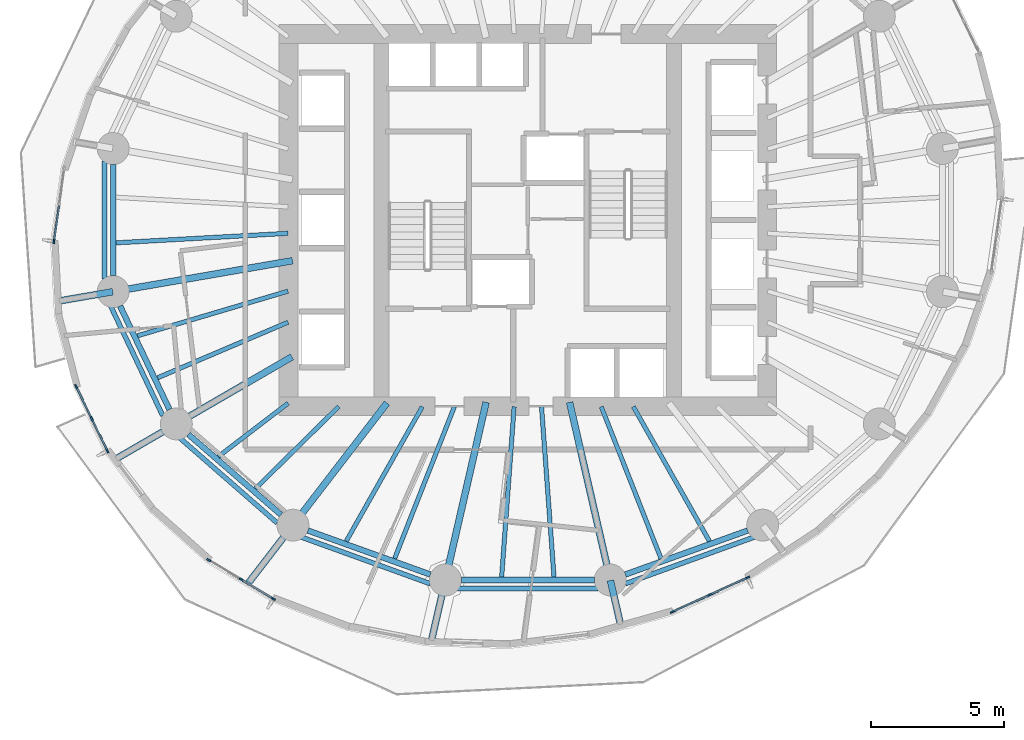
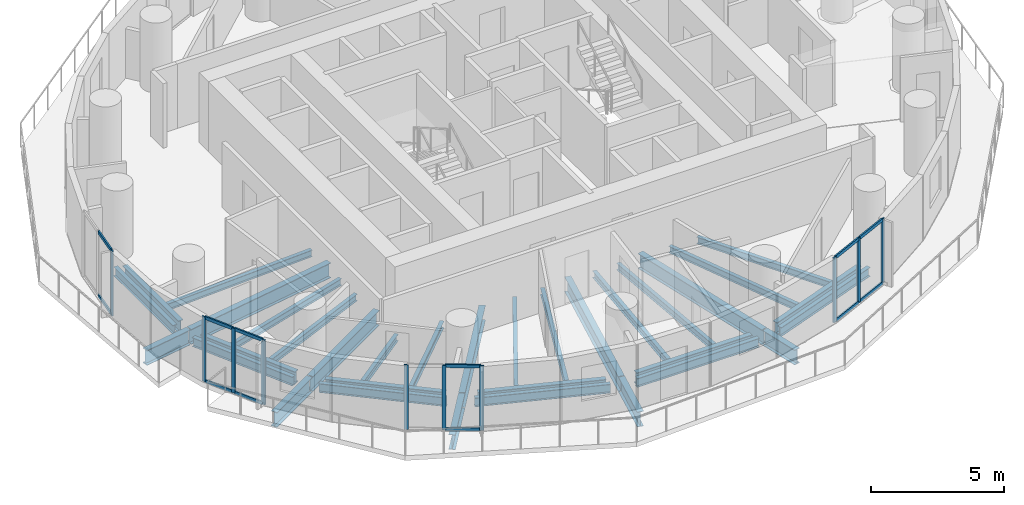
# One storey, part 2 of 14: 33 beams, 22 members, 4 elements without a shape of their own.
"""IFC4 building model written with IfcOpenShell, lengths in metres."""

from ifc_helpers import new_model, si_unit, direction, frame, origin, origin_2d, place, context, subcontext, project, spatial, rectangle, i_section, extrude, material, material_profile, profile_set, type_object, element, aggregate, save


model = new_model("IFC4")

# Units and contexts
model_context = context("Model", 3, precision=1e-05, world=origin(), true_north=direction((0.0, 1.0)))
body_context = subcontext(model_context, "Body", "Model", "MODEL_VIEW")
ifc_project = project(units=[si_unit("LENGTHUNIT", "METRE"), si_unit("AREAUNIT", "SQUARE_METRE"), si_unit("VOLUMEUNIT", "CUBIC_METRE"), si_unit("PLANEANGLEUNIT", "RADIAN"), si_unit("MASSUNIT", "GRAM", prefix="KILO")], contexts=[model_context])

# Site, building, storey
site_placement = place(None, origin())
site = spatial("IfcSite", under=ifc_project, at=site_placement, CompositionType="ELEMENT")
building_placement = place(site_placement, origin())
building = spatial("IfcBuilding", under=site, at=building_placement, Name="Veldorim Arch Residences", CompositionType="ELEMENT")
storey_placement = place(building_placement, frame((0.0, 0.0, 90.080078125)))
storey = spatial("IfcBuildingStorey", under=building, at=storey_placement, Name="L26", CompositionType="ELEMENT", Elevation=90.080078125)

# Beams
ifc_material_1 = material(Name="Steel S355", Category="steel")
ifc_material_profile_1 = material_profile(ifc_material_1, i_section(OverallWidth=0.2119140625, OverallDepth=0.54443359375, WebThickness=0.0126953125, FlangeThickness=0.021240234375, at=origin_2d()), Name="UB533x210x122")
ifc_profile_set_1 = profile_set([ifc_material_profile_1], Name="Steel S355")
beam_type_1 = type_object("IfcBeamType", Name="Structural Steel Beam UB533x210x122", PredefinedType="BEAM", material=ifc_profile_set_1)
beam_1_placement = place(storey_placement, frame((16.405517578125, 26.09228515625, -0.51220703125), z_axis=(0.0, -1.0, 0.0), x_axis=(1.0, 0.0, 0.0)))
element("IfcBeam", 1, at=beam_1_placement, inside=storey, type_object=beam_type_1, Name="L26 perimeter ring tie beam 08", PredefinedType="BEAM", context=body_context, shape_type="SweptSolid", body=[
    extrude(i_section(OverallWidth=0.2119140625, OverallDepth=0.54443359375, WebThickness=0.0126953125, FlangeThickness=0.021240234375, at=origin_2d()), origin(), (0.0, 0.0, 1.0), 4.1845703125),
])
beam_2_placement = place(storey_placement, frame((16.663818359375, 20.766357421875, -0.51220703125), z_axis=(0.430720154476, -0.902485539235, 0.0), x_axis=(0.902485539235, 0.430720154476, 0.0)))
element("IfcBeam", 2, at=beam_2_placement, inside=storey, type_object=beam_type_1, Name="L26 perimeter ring tie beam 09", PredefinedType="BEAM", context=body_context, shape_type="SweptSolid", body=[
    extrude(i_section(OverallWidth=0.2119140625, OverallDepth=0.54443359375, WebThickness=0.0126953125, FlangeThickness=0.021240234375, at=origin_2d()), origin(), (0.0, 0.0, 1.0), 4.312255859375),
])
beam_3_placement = place(storey_placement, frame((19.232666015625, 15.939697265625, -0.51220703125), z_axis=(0.755244952556, -0.655442645576, 0.0), x_axis=(0.655442645576, 0.755244952556, 0.0)))
element("IfcBeam", 3, at=beam_3_placement, inside=storey, type_object=beam_type_1, Name="L26 perimeter ring tie beam 10", PredefinedType="BEAM", context=body_context, shape_type="SweptSolid", body=[
    extrude(i_section(OverallWidth=0.2119140625, OverallDepth=0.54443359375, WebThickness=0.0126953125, FlangeThickness=0.021240234375, at=origin_2d()), origin(), (0.0, 0.0, 1.0), 4.608642578125),
])
beam_4_placement = place(storey_placement, frame((23.73095703125, 12.32275390625, -0.51220703125), z_axis=(0.941041944493, -0.338289903343, 0.0), x_axis=(0.338289903343, 0.941041944493, 0.0)))
element("IfcBeam", 4, at=beam_4_placement, inside=storey, type_object=beam_type_1, Name="L26 perimeter ring tie beam 11", PredefinedType="BEAM", context=body_context, shape_type="SweptSolid", body=[
    extrude(i_section(OverallWidth=0.2119140625, OverallDepth=0.54443359375, WebThickness=0.0126953125, FlangeThickness=0.021240234375, at=origin_2d()), origin(), (0.0, 0.0, 1.0), 4.890869140625),
])
beam_5_placement = place(storey_placement, frame((29.498046875, 10.465087890625, -0.51220703125), z_axis=(1.0, 0.0, 0.0), x_axis=(0.0, 1.0, 0.0)))
element("IfcBeam", 5, at=beam_5_placement, inside=storey, type_object=beam_type_1, Name="L26 perimeter ring tie beam 12", PredefinedType="BEAM", context=body_context, shape_type="SweptSolid", body=[
    extrude(i_section(OverallWidth=0.2119140625, OverallDepth=0.54443359375, WebThickness=0.0126953125, FlangeThickness=0.021240234375, at=origin_2d()), origin(), (0.0, 0.0, 1.0), 5.00390625),
])
beam_6_placement = place(storey_placement, frame((35.66650390625, 10.668212890625, -0.51220703125), z_axis=(0.941041944493, 0.338289903343, 0.0), x_axis=(-0.338289903343, 0.941041944493, 0.0)))
element("IfcBeam", 6, at=beam_6_placement, inside=storey, type_object=beam_type_1, Name="L26 perimeter ring tie beam 13", PredefinedType="BEAM", context=body_context, shape_type="SweptSolid", body=[
    extrude(i_section(OverallWidth=0.2119140625, OverallDepth=0.54443359375, WebThickness=0.0126953125, FlangeThickness=0.021240234375, at=origin_2d()), origin(), (0.0, 0.0, 1.0), 4.890869140625),
])
ifc_material_2 = material(Name="Steel S355", Category="steel")
ifc_material_profile_2 = material_profile(ifc_material_2, i_section(OverallWidth=0.25439453125, OverallDepth=0.6875, WebThickness=0.01318359375, FlangeThickness=0.02099609375, at=origin_2d()), Name="UB686x254x152")
ifc_profile_set_2 = profile_set([ifc_material_profile_2], Name="Steel S355")
beam_type_2 = type_object("IfcBeamType", Name="Structural Steel GIRDER UB686x254x152", PredefinedType="USERDEFINED", material=ifc_profile_set_2)
beam_7_placement = place(storey_placement, frame((23.147705078125, 22.4716796875, -0.583740234375), z_axis=(-0.985426622718, -0.17010106184, 0.0), x_axis=(0.17010106184, -0.985426622718, 0.0)))
element("IfcBeam", 7, at=beam_7_placement, inside=storey, type_object=beam_type_2, Name="L26 radial floor girder 09", ObjectType="GIRDER", PredefinedType="USERDEFINED", context=body_context, shape_type="SweptSolid", body=[
    extrude(i_section(OverallWidth=0.25439453125, OverallDepth=0.6875, WebThickness=0.01318359375, FlangeThickness=0.02099609375, at=origin_2d()), origin(), (0.0, 0.0, 1.0), 6.82177734375),
])
beam_8_placement = place(storey_placement, frame((16.3857421875, 21.304443359375, -0.583740234375), z_axis=(-0.985423467948, -0.170119336988, 0.0), x_axis=(0.170119336988, -0.985423467948, 0.0)))
element("IfcBeam", 8, at=beam_8_placement, inside=storey, type_object=beam_type_2, Name="L26 radial edge cantilever girder 09", ObjectType="GIRDER", PredefinedType="USERDEFINED", context=body_context, shape_type="SweptSolid", body=[
    extrude(i_section(OverallWidth=0.25439453125, OverallDepth=0.6875, WebThickness=0.01318359375, FlangeThickness=0.02099609375, at=origin_2d()), origin(), (0.0, 0.0, 1.0), 2.11669921875),
])
beam_9_placement = place(storey_placement, frame((23.1298828125, 18.85595703125, -0.583740234375), z_axis=(-0.865048957682, -0.501687453314, 0.0), x_axis=(0.501687453314, -0.865048957682, 0.0)))
element("IfcBeam", 9, at=beam_9_placement, inside=storey, type_object=beam_type_2, Name="L26 radial floor girder 10", ObjectType="GIRDER", PredefinedType="USERDEFINED", context=body_context, shape_type="SweptSolid", body=[
    extrude(i_section(OverallWidth=0.25439453125, OverallDepth=0.6875, WebThickness=0.01318359375, FlangeThickness=0.02099609375, at=origin_2d()), origin(), (0.0, 0.0, 1.0), 5.009033203125),
])
beam_10_placement = place(storey_placement, frame((18.76220703125, 16.322998046875, -0.583740234375), z_axis=(-0.865063665573, -0.501662091956, 0.0), x_axis=(0.501662091956, -0.865063665573, 0.0)))
element("IfcBeam", 10, at=beam_10_placement, inside=storey, type_object=beam_type_2, Name="L26 radial edge cantilever girder 10", ObjectType="GIRDER", PredefinedType="USERDEFINED", context=body_context, shape_type="SweptSolid", body=[
    extrude(i_section(OverallWidth=0.25439453125, OverallDepth=0.6875, WebThickness=0.01318359375, FlangeThickness=0.02099609375, at=origin_2d()), origin(), (0.0, 0.0, 1.0), 2.67529296875),
])
beam_11_placement = place(storey_placement, frame((26.702392578125, 17.118896484375, -0.583740234375), z_axis=(-0.609994628196, -0.792405548676, 0.0), x_axis=(0.792405548676, -0.609994628196, 0.0)))
element("IfcBeam", 11, at=beam_11_placement, inside=storey, type_object=beam_type_2, Name="L26 radial floor girder 11", ObjectType="GIRDER", PredefinedType="USERDEFINED", context=body_context, shape_type="SweptSolid", body=[
    extrude(i_section(OverallWidth=0.25439453125, OverallDepth=0.6875, WebThickness=0.01318359375, FlangeThickness=0.02099609375, at=origin_2d()), origin(), (0.0, 0.0, 1.0), 5.776611328125),
])
beam_12_placement = place(storey_placement, frame((23.154296875, 12.510009765625, -0.583740234375), z_axis=(-0.610003108496, -0.792399020459, 0.0), x_axis=(0.792399020459, -0.610003108496, 0.0)))
element("IfcBeam", 12, at=beam_12_placement, inside=storey, type_object=beam_type_2, Name="L26 radial edge cantilever girder 11", ObjectType="GIRDER", PredefinedType="USERDEFINED", context=body_context, shape_type="SweptSolid", body=[
    extrude(i_section(OverallWidth=0.25439453125, OverallDepth=0.6875, WebThickness=0.01318359375, FlangeThickness=0.02099609375, at=origin_2d()), origin(), (0.0, 0.0, 1.0), 2.743896484375),
])
beam_13_placement = place(storey_placement, frame((30.42919921875, 17.146240234375, -0.583740234375), z_axis=(-0.223374742148, -0.97473264261, 0.0), x_axis=(0.97473264261, -0.223374742148, 0.0)))
element("IfcBeam", 13, at=beam_13_placement, inside=storey, type_object=beam_type_2, Name="L26 radial floor girder 12", ObjectType="GIRDER", PredefinedType="USERDEFINED", context=body_context, shape_type="SweptSolid", body=[
    extrude(i_section(OverallWidth=0.25439453125, OverallDepth=0.6875, WebThickness=0.01318359375, FlangeThickness=0.02099609375, at=origin_2d()), origin(), (0.0, 0.0, 1.0), 6.834228515625),
])
beam_14_placement = place(storey_placement, frame((28.8935546875, 10.44580078125, -0.583740234375), z_axis=(-0.223325717101, -0.974743876145, 0.0), x_axis=(0.974743876145, -0.223325717101, 0.0)))
element("IfcBeam", 14, at=beam_14_placement, inside=storey, type_object=beam_type_2, Name="L26 radial edge cantilever girder 12", ObjectType="GIRDER", PredefinedType="USERDEFINED", context=body_context, shape_type="SweptSolid", body=[
    extrude(i_section(OverallWidth=0.25439453125, OverallDepth=0.6875, WebThickness=0.01318359375, FlangeThickness=0.02099609375, at=origin_2d()), origin(), (0.0, 0.0, 1.0), 2.395263671875),
])
beam_15_placement = place(storey_placement, frame((33.57080078125, 17.146240234375, -0.583740234375), z_axis=(0.223374742148, -0.97473264261, 0.0), x_axis=(0.97473264261, 0.223374742148, 0.0)))
element("IfcBeam", 15, at=beam_15_placement, inside=storey, type_object=beam_type_2, Name="L26 radial floor girder 13", ObjectType="GIRDER", PredefinedType="USERDEFINED", context=body_context, shape_type="SweptSolid", body=[
    extrude(i_section(OverallWidth=0.25439453125, OverallDepth=0.6875, WebThickness=0.01318359375, FlangeThickness=0.02099609375, at=origin_2d()), origin(), (0.0, 0.0, 1.0), 6.834228515625),
])
beam_16_placement = place(storey_placement, frame((35.1064453125, 10.44580078125, -0.583740234375), z_axis=(0.223398006298, -0.974727310986, 0.0), x_axis=(0.974727310986, 0.223398006298, 0.0)))
element("IfcBeam", 16, at=beam_16_placement, inside=storey, type_object=beam_type_2, Name="L26 radial edge cantilever girder 13", ObjectType="GIRDER", PredefinedType="USERDEFINED", context=body_context, shape_type="SweptSolid", body=[
    extrude(i_section(OverallWidth=0.25439453125, OverallDepth=0.6875, WebThickness=0.01318359375, FlangeThickness=0.02099609375, at=origin_2d()), origin(), (0.0, 0.0, 1.0), 1.769287109375),
])
ifc_material_3 = material(Name="Steel S355", Category="steel")
ifc_material_profile_3 = material_profile(ifc_material_3, i_section(OverallWidth=0.165771484375, OverallDepth=0.306640625, WebThickness=0.006591796875, FlangeThickness=0.01171875, at=origin_2d()), Name="UB305x165x46")
ifc_profile_set_3 = profile_set([ifc_material_profile_3], Name="Steel S355")
beam_type_3 = type_object("IfcBeamType", Name="Structural Steel Joist UB305x165x46", PredefinedType="JOIST", material=ifc_profile_set_3)
beam_17_placement = place(storey_placement, frame((22.97998046875, 23.501708984375, -0.393310546875), z_axis=(-0.99847713097, -0.055167190702, 0.0), x_axis=(0.055167190702, -0.99847713097, 0.0)))
element("IfcBeam", 17, at=beam_17_placement, inside=storey, type_object=beam_type_3, Name="L26 secondary radial floor joist 08-2", PredefinedType="JOIST", context=body_context, shape_type="SweptSolid", body=[
    extrude(i_section(OverallWidth=0.165771484375, OverallDepth=0.306640625, WebThickness=0.006591796875, FlangeThickness=0.01171875, at=origin_2d()), origin(), (0.0, 0.0, 1.0), 6.474365234375),
])
beam_18_placement = place(storey_placement, frame((22.980712890625, 21.326416015625, -0.393310546875), z_axis=(-0.958753061488, -0.284240333324, 0.0), x_axis=(0.284240333324, -0.958753061488, 0.0)))
element("IfcBeam", 18, at=beam_18_placement, inside=storey, type_object=beam_type_3, Name="L26 secondary radial floor joist 09-1", PredefinedType="JOIST", context=body_context, shape_type="SweptSolid", body=[
    extrude(i_section(OverallWidth=0.165771484375, OverallDepth=0.306640625, WebThickness=0.006591796875, FlangeThickness=0.01171875, at=origin_2d()), origin(), (0.0, 0.0, 1.0), 5.906005859375),
])
beam_19_placement = place(storey_placement, frame((22.981689453125, 20.158447265625, -0.393310546875), z_axis=(-0.919997395122, -0.391924473552, 0.0), x_axis=(0.391924473552, -0.919997395122, 0.0)))
element("IfcBeam", 19, at=beam_19_placement, inside=storey, type_object=beam_type_3, Name="L26 secondary radial floor joist 09-2", PredefinedType="JOIST", context=body_context, shape_type="SweptSolid", body=[
    extrude(i_section(OverallWidth=0.165771484375, OverallDepth=0.306640625, WebThickness=0.006591796875, FlangeThickness=0.01171875, at=origin_2d()), origin(), (0.0, 0.0, 1.0), 5.334716796875),
])
beam_20_placement = place(storey_placement, frame((22.984130859375, 17.111572265625, -0.393310546875), z_axis=(-0.794594763594, -0.60714014994, 0.0), x_axis=(0.60714014994, -0.794594763594, 0.0)))
element("IfcBeam", 20, at=beam_20_placement, inside=storey, type_object=beam_type_3, Name="L26 secondary radial floor joist 10-1", PredefinedType="JOIST", context=body_context, shape_type="SweptSolid", body=[
    extrude(i_section(OverallWidth=0.165771484375, OverallDepth=0.306640625, WebThickness=0.006591796875, FlangeThickness=0.01171875, at=origin_2d()), origin(), (0.0, 0.0, 1.0), 3.30419921875),
])
beam_21_placement = place(storey_placement, frame((24.885986328125, 16.986083984375, -0.393310546875), z_axis=(-0.712111629941, -0.702066255066, 0.0), x_axis=(0.702066255066, -0.712111629941, 0.0)))
element("IfcBeam", 21, at=beam_21_placement, inside=storey, type_object=beam_type_3, Name="L26 secondary radial floor joist 10-2", PredefinedType="JOIST", context=body_context, shape_type="SweptSolid", body=[
    extrude(i_section(OverallWidth=0.165771484375, OverallDepth=0.306640625, WebThickness=0.006591796875, FlangeThickness=0.01171875, at=origin_2d()), origin(), (0.0, 0.0, 1.0), 4.39892578125),
])
beam_22_placement = place(storey_placement, frame((28.03173828125, 16.982666015625, -0.393310546875), z_axis=(-0.492227411199, -0.870466642476, 0.0), x_axis=(0.870466642476, -0.492227411199, 0.0)))
element("IfcBeam", 22, at=beam_22_placement, inside=storey, type_object=beam_type_3, Name="L26 secondary radial floor joist 11-1", PredefinedType="JOIST", context=body_context, shape_type="SweptSolid", body=[
    extrude(i_section(OverallWidth=0.165771484375, OverallDepth=0.306640625, WebThickness=0.006591796875, FlangeThickness=0.01171875, at=origin_2d()), origin(), (0.0, 0.0, 1.0), 5.81494140625),
])
beam_23_placement = place(storey_placement, frame((29.238037109375, 16.9814453125, -0.393310546875), z_axis=(-0.366194870364, -0.930538186707, 0.0), x_axis=(0.930538186707, -0.366194870364, 0.0)))
element("IfcBeam", 23, at=beam_23_placement, inside=storey, type_object=beam_type_3, Name="L26 secondary radial floor joist 11-2", PredefinedType="JOIST", context=body_context, shape_type="SweptSolid", body=[
    extrude(i_section(OverallWidth=0.165771484375, OverallDepth=0.306640625, WebThickness=0.006591796875, FlangeThickness=0.01171875, at=origin_2d()), origin(), (0.0, 0.0, 1.0), 6.1396484375),
])
for number, where, z_axis, x_axis, name in (
    (24, (31.485107421875, 16.97998046875, -0.393310546875), (-0.073143494169, -0.997321427254, 0.0), (0.997321427254, -0.073143494169, 0.0), "L26 secondary radial floor joist 12-1"),
    (25, (32.514892578125, 16.97998046875, -0.393310546875), (0.073143494169, -0.997321427254, 0.0), (0.997321427254, 0.073143494169, 0.0), "L26 secondary radial floor joist 12-2"),
):
    element("IfcBeam", number, at=place(storey_placement, frame(where, z_axis=z_axis, x_axis=x_axis)), inside=storey, type_object=beam_type_3, Name=name, PredefinedType="JOIST", context=body_context, shape_type="SweptSolid", body=[
        extrude(i_section(OverallWidth=0.165771484375, OverallDepth=0.306640625, WebThickness=0.006591796875, FlangeThickness=0.01171875, at=origin_2d()), origin(), (0.0, 0.0, 1.0), 6.421875),
    ])
beam_24_placement = place(storey_placement, frame((34.761962890625, 16.9814453125, -0.393310546875), z_axis=(0.366194870364, -0.930538186707, 0.0), x_axis=(0.930538186707, 0.366194870364, 0.0)))
element("IfcBeam", 26, at=beam_24_placement, inside=storey, type_object=beam_type_3, Name="L26 secondary radial floor joist 13-1", PredefinedType="JOIST", context=body_context, shape_type="SweptSolid", body=[
    extrude(i_section(OverallWidth=0.165771484375, OverallDepth=0.306640625, WebThickness=0.006591796875, FlangeThickness=0.01171875, at=origin_2d()), origin(), (0.0, 0.0, 1.0), 6.1396484375),
])
beam_25_placement = place(storey_placement, frame((35.96826171875, 16.982666015625, -0.393310546875), z_axis=(0.492227411199, -0.870466642476, 0.0), x_axis=(0.870466642476, 0.492227411199, 0.0)))
element("IfcBeam", 27, at=beam_25_placement, inside=storey, type_object=beam_type_3, Name="L26 secondary radial floor joist 13-2", PredefinedType="JOIST", context=body_context, shape_type="SweptSolid", body=[
    extrude(i_section(OverallWidth=0.165771484375, OverallDepth=0.306640625, WebThickness=0.006591796875, FlangeThickness=0.01171875, at=origin_2d()), origin(), (0.0, 0.0, 1.0), 5.81494140625),
])
ifc_material_4 = material(Name="Steel S355", Category="steel")
ifc_material_profile_4 = material_profile(ifc_material_4, i_section(OverallWidth=0.1787109375, OverallDepth=0.409423828125, WebThickness=0.0087890625, FlangeThickness=0.014404296875, at=origin_2d()), Name="UB406x178x67")
ifc_profile_set_4 = profile_set([ifc_material_profile_4], Name="Steel S355")
beam_type_4 = type_object("IfcBeamType", Name="Structural Steel Spandrel UB406x178x67", PredefinedType="SPANDREL", material=ifc_profile_set_4)
beam_26_placement = place(storey_placement, frame((16.080322265625, 26.22021484375, -0.46484375), z_axis=(0.0, -1.0, 0.0), x_axis=(1.0, 0.0, 0.0)))
element("IfcBeam", 28, at=beam_26_placement, inside=storey, type_object=beam_type_4, Name="L26 perimeter chord spandrel beam 08", PredefinedType="SPANDREL", context=body_context, shape_type="SweptSolid", body=[
    extrude(i_section(OverallWidth=0.1787109375, OverallDepth=0.409423828125, WebThickness=0.0087890625, FlangeThickness=0.014404296875, at=origin_2d()), origin(), (0.0, 0.0, 1.0), 4.4404296875),
])
beam_27_placement = place(storey_placement, frame((16.306884765625, 20.774658203125, -0.46484375), z_axis=(0.428857472204, -0.903372165021, 0.0), x_axis=(0.903372165021, 0.428857472204, 0.0)))
element("IfcBeam", 29, at=beam_27_placement, inside=storey, type_object=beam_type_4, Name="L26 perimeter chord spandrel beam 09", PredefinedType="SPANDREL", context=body_context, shape_type="SweptSolid", body=[
    extrude(i_section(OverallWidth=0.1787109375, OverallDepth=0.409423828125, WebThickness=0.0087890625, FlangeThickness=0.014404296875, at=origin_2d()), origin(), (0.0, 0.0, 1.0), 4.572021484375),
])
beam_28_placement = place(storey_placement, frame((18.891845703125, 15.8203125, -0.46484375), z_axis=(0.753323239074, -0.65765043714, 0.0), x_axis=(0.65765043714, 0.753323239074, 0.0)))
element("IfcBeam", 30, at=beam_28_placement, inside=storey, type_object=beam_type_4, Name="L26 perimeter chord spandrel beam 10", PredefinedType="SPANDREL", context=body_context, shape_type="SweptSolid", body=[
    extrude(i_section(OverallWidth=0.1787109375, OverallDepth=0.409423828125, WebThickness=0.0087890625, FlangeThickness=0.014404296875, at=origin_2d()), origin(), (0.0, 0.0, 1.0), 4.879150390625),
])
beam_29_placement = place(storey_placement, frame((23.461669921875, 12.08447265625, -0.46484375), z_axis=(0.940307501418, -0.340326024244, 0.0), x_axis=(0.340326024244, 0.940307501418, 0.0)))
element("IfcBeam", 31, at=beam_29_placement, inside=storey, type_object=beam_type_4, Name="L26 perimeter chord spandrel beam 11", PredefinedType="SPANDREL", context=body_context, shape_type="SweptSolid", body=[
    extrude(i_section(OverallWidth=0.1787109375, OverallDepth=0.409423828125, WebThickness=0.0087890625, FlangeThickness=0.014404296875, at=origin_2d()), origin(), (0.0, 0.0, 1.0), 5.175048828125),
])
beam_30_placement = place(storey_placement, frame((29.352294921875, 10.1435546875, -0.46484375), z_axis=(1.0, 0.0, 0.0), x_axis=(0.0, 1.0, 0.0)))
element("IfcBeam", 32, at=beam_30_placement, inside=storey, type_object=beam_type_4, Name="L26 perimeter chord spandrel beam 12", PredefinedType="SPANDREL", context=body_context, shape_type="SweptSolid", body=[
    extrude(i_section(OverallWidth=0.1787109375, OverallDepth=0.409423828125, WebThickness=0.0087890625, FlangeThickness=0.014404296875, at=origin_2d()), origin(), (0.0, 0.0, 1.0), 5.29541015625),
])
beam_31_placement = place(storey_placement, frame((35.672119140625, 10.3232421875, -0.46484375), z_axis=(0.940307501418, 0.340326024244, 0.0), x_axis=(-0.340326024244, 0.940307501418, 0.0)))
element("IfcBeam", 33, at=beam_31_placement, inside=storey, type_object=beam_type_4, Name="L26 perimeter chord spandrel beam 13", PredefinedType="SPANDREL", context=body_context, shape_type="SweptSolid", body=[
    extrude(i_section(OverallWidth=0.1787109375, OverallDepth=0.409423828125, WebThickness=0.0087890625, FlangeThickness=0.014404296875, at=origin_2d()), origin(), (0.0, 0.0, 1.0), 5.175048828125),
])

# Curtain wall, member
ifc_material_5 = material(Name="Aluminium", Category="aluminium")
curtain_wall_type = type_object("IfcCurtainWallType", Name="Zone 2 Solar-Control Unitised Curtain Wall", PredefinedType="NOTDEFINED", material=ifc_material_5)
curtain_wall_1_placement = place(storey_placement, origin())
curtain_wall_1 = element("IfcCurtainWall", 34, at=curtain_wall_1_placement, inside=storey, type_object=curtain_wall_type, Name="L26 unitised curtain wall bay 16", PredefinedType="NOTDEFINED")
ifc_material_6 = material(Name="Aluminium", Category="aluminium")
ifc_material_profile_5 = material_profile(ifc_material_6, rectangle(XDim=0.06494140625, YDim=0.1650390625, at=origin_2d()), Name="ALU_MUL_65x165")
ifc_profile_set_5 = profile_set([ifc_material_profile_5], Name="Aluminium")
member_type_1 = type_object("IfcMemberType", Name="Zone 2 Solar-Control Unitised Curtain Wall Mullion 65x165", PredefinedType="MULLION", material=ifc_profile_set_5)
member_1_placement = place(storey_placement, frame((14.1767578125, 23.197998046875, 0.0), z_axis=(0.0, 0.0, 1.0), x_axis=(-0.990070536302, 0.140571452105, 0.0)))
member_1 = element("IfcMember", 35, at=member_1_placement, type_object=member_type_1, Name="CW-Z2 mullion 1", PredefinedType="MULLION", context=body_context, shape_type="SweptSolid", body=[
    extrude(rectangle(XDim=0.06494140625, YDim=0.1650390625, at=origin_2d()), origin(), (0.0, 0.0, 1.0), 2.9599609375),
])

# Curtain wall, members
curtain_wall_2_placement = place(storey_placement, origin())
curtain_wall_2 = element("IfcCurtainWall", 36, at=curtain_wall_2_placement, inside=storey, type_object=curtain_wall_type, Name="L26 unitised curtain wall bay 19", PredefinedType="NOTDEFINED")
member_2_placement = place(storey_placement, frame((16.18701171875, 15.315673828125, 0.0), z_axis=(0.0, 0.0, 1.0), x_axis=(-0.89943933332, -0.437045633403, 0.0)))
member_2 = element("IfcMember", 37, at=member_2_placement, type_object=member_type_1, Name="CW-Z2 mullion 1", PredefinedType="MULLION", context=body_context, shape_type="SweptSolid", body=[
    extrude(rectangle(XDim=0.06494140625, YDim=0.1650390625, at=origin_2d()), origin(), (0.0, 0.0, 1.0), 2.9599609375),
])
member_3_placement = place(storey_placement, frame((15.598388671875, 16.526611328125, 0.0), z_axis=(0.0, 0.0, 1.0), x_axis=(-0.89943933332, -0.437045633403, 0.0)))
member_3 = element("IfcMember", 38, at=member_3_placement, type_object=member_type_1, Name="CW-Z2 mullion 2", PredefinedType="MULLION", context=body_context, shape_type="SweptSolid", body=[
    extrude(rectangle(XDim=0.06494140625, YDim=0.1650390625, at=origin_2d()), origin(), (0.0, 0.0, 1.0), 2.9599609375),
])
member_4_placement = place(storey_placement, frame((15.010009765625, 17.737548828125, 0.0), z_axis=(0.0, 0.0, 1.0), x_axis=(-0.89943933332, -0.437045633403, 0.0)))
member_4 = element("IfcMember", 39, at=member_4_placement, type_object=member_type_1, Name="CW-Z2 mullion 3", PredefinedType="MULLION", context=body_context, shape_type="SweptSolid", body=[
    extrude(rectangle(XDim=0.06494140625, YDim=0.1650390625, at=origin_2d()), origin(), (0.0, 0.0, 1.0), 2.9599609375),
])

curtain_wall_3_placement = place(storey_placement, origin())
curtain_wall_3 = element("IfcCurtainWall", 40, at=curtain_wall_3_placement, inside=storey, type_object=curtain_wall_type, Name="L26 unitised curtain wall bay 22", PredefinedType="NOTDEFINED")
member_5_placement = place(storey_placement, frame((22.430908203125, 9.755126953125, 0.0), z_axis=(0.0, 0.0, 1.0), x_axis=(-0.514313089023, -0.857602499098, 0.0)))
member_5 = element("IfcMember", 41, at=member_5_placement, type_object=member_type_1, Name="CW-Z2 mullion 1", PredefinedType="MULLION", context=body_context, shape_type="SweptSolid", body=[
    extrude(rectangle(XDim=0.06494140625, YDim=0.1650390625, at=origin_2d()), origin(), (0.0, 0.0, 1.0), 2.9599609375),
])
member_6_placement = place(storey_placement, frame((21.2158203125, 10.483642578125, 0.0), z_axis=(0.0, 0.0, 1.0), x_axis=(-0.514313089023, -0.857602499098, 0.0)))
member_6 = element("IfcMember", 42, at=member_6_placement, type_object=member_type_1, Name="CW-Z2 mullion 2", PredefinedType="MULLION", context=body_context, shape_type="SweptSolid", body=[
    extrude(rectangle(XDim=0.06494140625, YDim=0.1650390625, at=origin_2d()), origin(), (0.0, 0.0, 1.0), 2.9599609375),
])
member_7_placement = place(storey_placement, frame((20.0009765625, 11.21240234375, 0.0), z_axis=(0.0, 0.0, 1.0), x_axis=(-0.514313089023, -0.857602499098, 0.0)))
member_7 = element("IfcMember", 43, at=member_7_placement, type_object=member_type_1, Name="CW-Z2 mullion 3", PredefinedType="MULLION", context=body_context, shape_type="SweptSolid", body=[
    extrude(rectangle(XDim=0.06494140625, YDim=0.1650390625, at=origin_2d()), origin(), (0.0, 0.0, 1.0), 2.9599609375),
])

curtain_wall_4_placement = place(storey_placement, origin())
curtain_wall_4 = element("IfcCurtainWall", 44, at=curtain_wall_4_placement, inside=storey, type_object=curtain_wall_type, Name="L26 unitised curtain wall bay 28", PredefinedType="NOTDEFINED")
member_8_placement = place(storey_placement, frame((40.262451171875, 10.551025390625, 0.0), z_axis=(0.0, 0.0, 1.0), x_axis=(0.414741699201, -0.909939186399, 0.0)))
member_8 = element("IfcMember", 45, at=member_8_placement, type_object=member_type_1, Name="CW-Z2 mullion 1", PredefinedType="MULLION", context=body_context, shape_type="SweptSolid", body=[
    extrude(rectangle(XDim=0.06494140625, YDim=0.1650390625, at=origin_2d()), origin(), (0.0, 0.0, 1.0), 2.9599609375),
])
member_9_placement = place(storey_placement, frame((38.85009765625, 9.9072265625, 0.0), z_axis=(0.0, 0.0, 1.0), x_axis=(0.414741699201, -0.909939186399, 0.0)))
member_9 = element("IfcMember", 46, at=member_9_placement, type_object=member_type_1, Name="CW-Z2 mullion 2", PredefinedType="MULLION", context=body_context, shape_type="SweptSolid", body=[
    extrude(rectangle(XDim=0.06494140625, YDim=0.1650390625, at=origin_2d()), origin(), (0.0, 0.0, 1.0), 2.9599609375),
])
member_10_placement = place(storey_placement, frame((37.437744140625, 9.263427734375, 0.0), z_axis=(0.0, 0.0, 1.0), x_axis=(0.414741699201, -0.909939186399, 0.0)))
member_10 = element("IfcMember", 47, at=member_10_placement, type_object=member_type_1, Name="CW-Z2 mullion 3", PredefinedType="MULLION", context=body_context, shape_type="SweptSolid", body=[
    extrude(rectangle(XDim=0.06494140625, YDim=0.1650390625, at=origin_2d()), origin(), (0.0, 0.0, 1.0), 2.9599609375),
])

# Member
ifc_material_7 = material(Name="Aluminium", Category="aluminium")
ifc_material_profile_6 = material_profile(ifc_material_7, rectangle(XDim=0.06494140625, YDim=0.14501953125, at=origin_2d()), Name="ALU_TRN_65x145")
ifc_profile_set_6 = profile_set([ifc_material_profile_6], Name="Aluminium")
member_type_2 = type_object("IfcMemberType", Name="Zone 2 Solar-Control Unitised Curtain Wall Transom 65x145", PredefinedType="USERDEFINED", material=ifc_profile_set_6)
member_11_placement = place(storey_placement, frame((14.18115234375, 23.230224609375, 0.032470703125), z_axis=(0.140644069109, 0.990060223332, 0.0), x_axis=(-0.990060223332, 0.140644069109, 0.0)))
member_11 = element("IfcMember", 48, at=member_11_placement, type_object=member_type_2, Name="CW-Z2 transom 1.1", ObjectType="TRANSOM", PredefinedType="USERDEFINED", context=body_context, shape_type="SweptSolid", body=[
    extrude(rectangle(XDim=0.06494140625, YDim=0.14501953125, at=origin_2d()), origin(), (0.0, 0.0, 1.0), 1.3193359375),
])

member_12_placement = place(storey_placement, frame((14.18115234375, 23.230224609375, 2.927490234375), z_axis=(0.140644069109, 0.990060223332, 0.0), x_axis=(-0.990060223332, 0.140644069109, 0.0)))
member_12 = element("IfcMember", 49, at=member_12_placement, type_object=member_type_2, Name="CW-Z2 transom 1.2", ObjectType="TRANSOM", PredefinedType="USERDEFINED", context=body_context, shape_type="SweptSolid", body=[
    extrude(rectangle(XDim=0.06494140625, YDim=0.14501953125, at=origin_2d()), origin(), (0.0, 0.0, 1.0), 1.3193359375),
])

aggregate(curtain_wall_1, [member_1, member_11, member_12])

member_13_placement = place(storey_placement, frame((16.172607421875, 15.344970703125, 0.032470703125), z_axis=(-0.436970043232, 0.899476059335, 0.0), x_axis=(-0.899476059335, -0.436970043232, 0.0)))
member_13 = element("IfcMember", 50, at=member_13_placement, type_object=member_type_2, Name="CW-Z2 transom 1.1", ObjectType="TRANSOM", PredefinedType="USERDEFINED", context=body_context, shape_type="SweptSolid", body=[
    extrude(rectangle(XDim=0.06494140625, YDim=0.14501953125, at=origin_2d()), origin(), (0.0, 0.0, 1.0), 1.281005859375),
])

member_14_placement = place(storey_placement, frame((16.172607421875, 15.344970703125, 2.927490234375), z_axis=(-0.436970043232, 0.899476059335, 0.0), x_axis=(-0.899476059335, -0.436970043232, 0.0)))
member_14 = element("IfcMember", 51, at=member_14_placement, type_object=member_type_2, Name="CW-Z2 transom 1.2", ObjectType="TRANSOM", PredefinedType="USERDEFINED", context=body_context, shape_type="SweptSolid", body=[
    extrude(rectangle(XDim=0.06494140625, YDim=0.14501953125, at=origin_2d()), origin(), (0.0, 0.0, 1.0), 1.281005859375),
])

member_15_placement = place(storey_placement, frame((15.584228515625, 16.555908203125, 0.032470703125), z_axis=(-0.436970043232, 0.899476059335, 0.0), x_axis=(-0.899476059335, -0.436970043232, 0.0)))
member_15 = element("IfcMember", 52, at=member_15_placement, type_object=member_type_2, Name="CW-Z2 transom 2.1", ObjectType="TRANSOM", PredefinedType="USERDEFINED", context=body_context, shape_type="SweptSolid", body=[
    extrude(rectangle(XDim=0.06494140625, YDim=0.14501953125, at=origin_2d()), origin(), (0.0, 0.0, 1.0), 1.281005859375),
])

member_16_placement = place(storey_placement, frame((15.584228515625, 16.555908203125, 2.927490234375), z_axis=(-0.436970043232, 0.899476059335, 0.0), x_axis=(-0.899476059335, -0.436970043232, 0.0)))
member_16 = element("IfcMember", 53, at=member_16_placement, type_object=member_type_2, Name="CW-Z2 transom 2.2", ObjectType="TRANSOM", PredefinedType="USERDEFINED", context=body_context, shape_type="SweptSolid", body=[
    extrude(rectangle(XDim=0.06494140625, YDim=0.14501953125, at=origin_2d()), origin(), (0.0, 0.0, 1.0), 1.281005859375),
])

aggregate(curtain_wall_2, [member_2, member_3, member_4, member_13, member_14, member_15, member_16])

member_17_placement = place(storey_placement, frame((22.403076171875, 9.771728515625, 0.032470703125), z_axis=(-0.857604444173, 0.514309845653, 0.0), x_axis=(-0.514309845653, -0.857604444173, 0.0)))
member_17 = element("IfcMember", 54, at=member_17_placement, type_object=member_type_2, Name="CW-Z2 transom 1.1", ObjectType="TRANSOM", PredefinedType="USERDEFINED", context=body_context, shape_type="SweptSolid", body=[
    extrude(rectangle(XDim=0.06494140625, YDim=0.14501953125, at=origin_2d()), origin(), (0.0, 0.0, 1.0), 1.35205078125),
])

member_18_placement = place(storey_placement, frame((22.403076171875, 9.771728515625, 2.927490234375), z_axis=(-0.857604444173, 0.514309845653, 0.0), x_axis=(-0.514309845653, -0.857604444173, 0.0)))
member_18 = element("IfcMember", 55, at=member_18_placement, type_object=member_type_2, Name="CW-Z2 transom 1.2", ObjectType="TRANSOM", PredefinedType="USERDEFINED", context=body_context, shape_type="SweptSolid", body=[
    extrude(rectangle(XDim=0.06494140625, YDim=0.14501953125, at=origin_2d()), origin(), (0.0, 0.0, 1.0), 1.35205078125),
])

aggregate(curtain_wall_3, [member_5, member_6, member_7, member_17, member_18])

member_19_placement = place(storey_placement, frame((40.23291015625, 10.537353515625, 0.032470703125), z_axis=(-0.909966885457, -0.414680922364, 0.0), x_axis=(0.414680922364, -0.909966885457, 0.0)))
member_19 = element("IfcMember", 56, at=member_19_placement, type_object=member_type_2, Name="CW-Z2 transom 1.1", ObjectType="TRANSOM", PredefinedType="USERDEFINED", context=body_context, shape_type="SweptSolid", body=[
    extrude(rectangle(XDim=0.06494140625, YDim=0.14501953125, at=origin_2d()), origin(), (0.0, 0.0, 1.0), 1.487060546875),
])

member_20_placement = place(storey_placement, frame((40.23291015625, 10.537353515625, 2.927490234375), z_axis=(-0.909966885457, -0.414680922364, 0.0), x_axis=(0.414680922364, -0.909966885457, 0.0)))
member_20 = element("IfcMember", 57, at=member_20_placement, type_object=member_type_2, Name="CW-Z2 transom 1.2", ObjectType="TRANSOM", PredefinedType="USERDEFINED", context=body_context, shape_type="SweptSolid", body=[
    extrude(rectangle(XDim=0.06494140625, YDim=0.14501953125, at=origin_2d()), origin(), (0.0, 0.0, 1.0), 1.487060546875),
])

member_21_placement = place(storey_placement, frame((38.820556640625, 9.8935546875, 0.032470703125), z_axis=(-0.909966885457, -0.414680922364, 0.0), x_axis=(0.414680922364, -0.909966885457, 0.0)))
member_21 = element("IfcMember", 58, at=member_21_placement, type_object=member_type_2, Name="CW-Z2 transom 2.1", ObjectType="TRANSOM", PredefinedType="USERDEFINED", context=body_context, shape_type="SweptSolid", body=[
    extrude(rectangle(XDim=0.06494140625, YDim=0.14501953125, at=origin_2d()), origin(), (0.0, 0.0, 1.0), 1.487060546875),
])

member_22_placement = place(storey_placement, frame((38.820556640625, 9.8935546875, 2.927490234375), z_axis=(-0.909966885457, -0.414680922364, 0.0), x_axis=(0.414680922364, -0.909966885457, 0.0)))
member_22 = element("IfcMember", 59, at=member_22_placement, type_object=member_type_2, Name="CW-Z2 transom 2.2", ObjectType="TRANSOM", PredefinedType="USERDEFINED", context=body_context, shape_type="SweptSolid", body=[
    extrude(rectangle(XDim=0.06494140625, YDim=0.14501953125, at=origin_2d()), origin(), (0.0, 0.0, 1.0), 1.487060546875),
])

aggregate(curtain_wall_4, [member_8, member_9, member_10, member_19, member_20, member_21, member_22])

save(model, "model.ifc")
